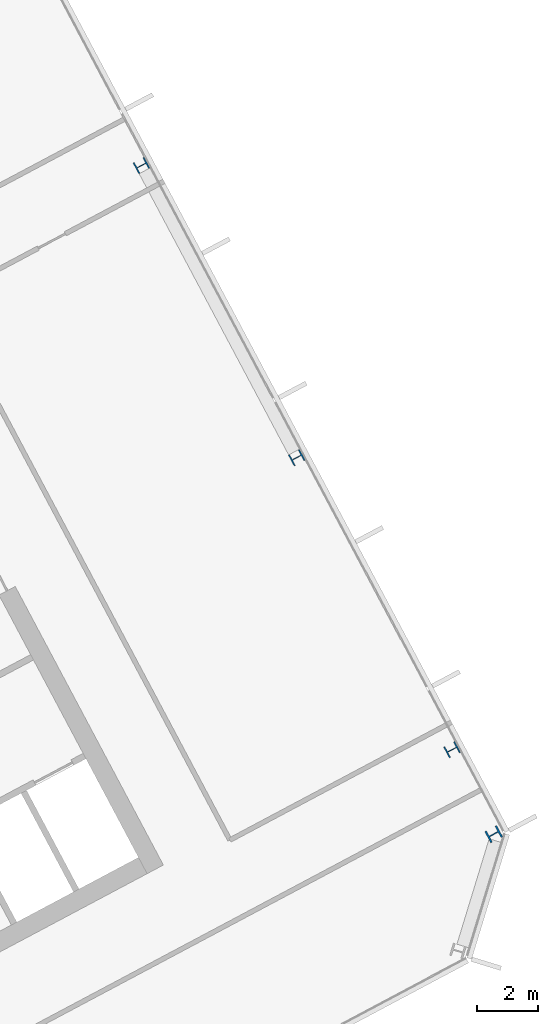
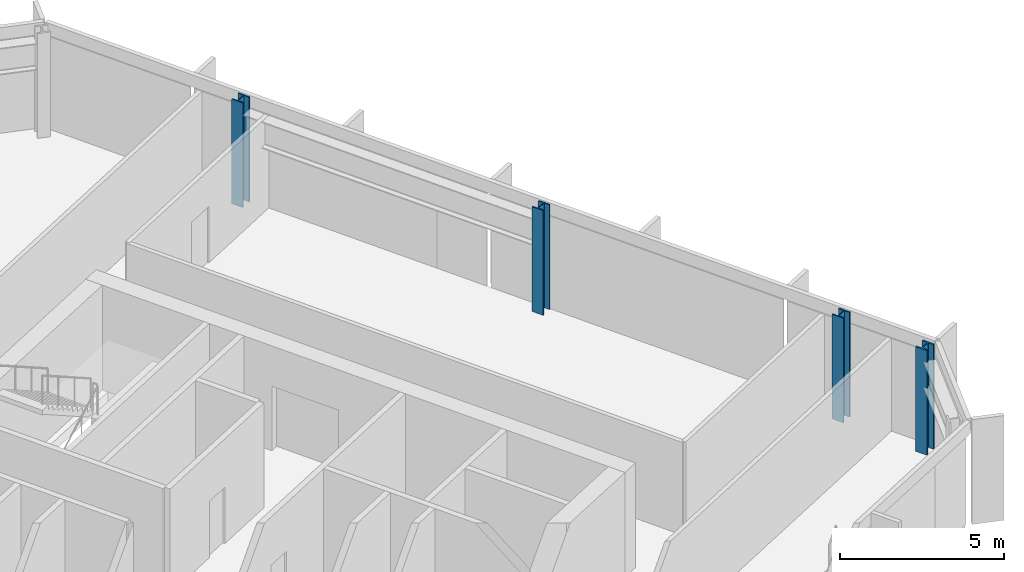
# One storey, part 7 of 26: 4 columns.
"""IFC4 building model written with IfcOpenShell, lengths in metres."""

from ifc_helpers import new_model, si_unit, direction, frame, origin, origin_2d, place, context, subcontext, project, spatial, i_section, extrude, material, material_profile, profile_set, type_object, element, save


model = new_model("IFC4")

# Units and contexts
model_context = context("Model", 3, precision=1e-05, world=origin(), true_north=direction((0.0, 1.0)))
body_context = subcontext(model_context, "Body", "Model", "MODEL_VIEW")
ifc_project = project(units=[si_unit("LENGTHUNIT", "METRE"), si_unit("AREAUNIT", "SQUARE_METRE"), si_unit("VOLUMEUNIT", "CUBIC_METRE"), si_unit("PLANEANGLEUNIT", "RADIAN"), si_unit("MASSUNIT", "GRAM", prefix="KILO")], contexts=[model_context])

# Site, building, storey
site_placement = place(None, origin())
site = spatial("IfcSite", under=ifc_project, at=site_placement, CompositionType="ELEMENT")
building_placement = place(site_placement, origin())
building = spatial("IfcBuilding", under=site, at=building_placement, Name="Cormorant Relay Tower", CompositionType="ELEMENT")
storey_placement = place(building_placement, frame((0.0, 0.0, 248.10009765625)))
storey = spatial("IfcBuildingStorey", under=building, at=storey_placement, Name="L55", CompositionType="ELEMENT", Elevation=248.10009765625)

# Columns
ifc_material_1 = material(Name="Steel ASTM A992 (Fy 345 MPa)", Category="steel")
ifc_material_profile_1 = material_profile(ifc_material_1, i_section(OverallWidth=0.40380859375, OverallDepth=0.406494140625, WebThickness=0.027099609375, FlangeThickness=0.043701171875, FilletRadius=0.01513671875, at=origin_2d()), Name="W360x347")
ifc_profile_set_1 = profile_set([ifc_material_profile_1], Name="Steel ASTM A992 (Fy 345 MPa)")
column_type_1 = type_object("IfcColumnType", Name="Column W360x347", PredefinedType="COLUMN", material=ifc_profile_set_1)
for number, where, z_axis, x_axis, name in (
    (1, (47.26611328125, 12.89990234375, 0.0), (0.0, 0.0, 1.0), (-0.469471562786, 0.882947592859, 0.0), "Column L55-026"),
    (2, (42.196044921875, 22.43603515625, 0.0), (0.0, 0.0, 1.0), (-0.469471562786, 0.882947592859, 0.0), "Column L55-029"),
    (3, (37.1259765625, 31.971923828125, 0.0), (0.0, 0.0, 1.0), (-0.469471562786, 0.882947592859, 0.0), "Column L55-036"),
):
    element("IfcColumn", number, at=place(storey_placement, frame(where, z_axis=z_axis, x_axis=x_axis)), inside=storey, type_object=column_type_1, Name=name, PredefinedType="COLUMN", context=body_context, shape_type="SweptSolid", body=[
        extrude(i_section(OverallWidth=0.40380859375, OverallDepth=0.406494140625, WebThickness=0.027099609375, FlangeThickness=0.043701171875, FilletRadius=0.01513671875, at=origin_2d()), origin(), (0.0, 0.0, 1.0), 3.89990234375),
    ])
ifc_material_2 = material(Name="Steel ASTM A992 (Fy 345 MPa)", Category="steel")
ifc_material_profile_2 = material_profile(ifc_material_2, i_section(OverallWidth=0.41162109375, OverallDepth=0.434326171875, WebThickness=0.035888671875, FlangeThickness=0.057373046875, FilletRadius=0.01513671875, at=origin_2d()), Name="W360x463")
ifc_profile_set_2 = profile_set([ifc_material_profile_2], Name="Steel ASTM A992 (Fy 345 MPa)")
column_type_2 = type_object("IfcColumnType", Name="Column W360x463", PredefinedType="COLUMN", material=ifc_profile_set_2)
column_placement = place(storey_placement, frame((48.6259765625, 10.14208984375, 0.0), z_axis=(0.0, 0.0, 1.0), x_axis=(-0.469471562786, 0.882947592859, 0.0)))
element("IfcColumn", 4, at=column_placement, inside=storey, type_object=column_type_2, Name="Column L55-021", PredefinedType="COLUMN", context=body_context, shape_type="SweptSolid", body=[
    extrude(i_section(OverallWidth=0.41162109375, OverallDepth=0.434326171875, WebThickness=0.035888671875, FlangeThickness=0.057373046875, FilletRadius=0.01513671875, at=origin_2d()), origin(), (0.0, 0.0, 1.0), 3.89990234375),
])

save(model, "model.ifc")
